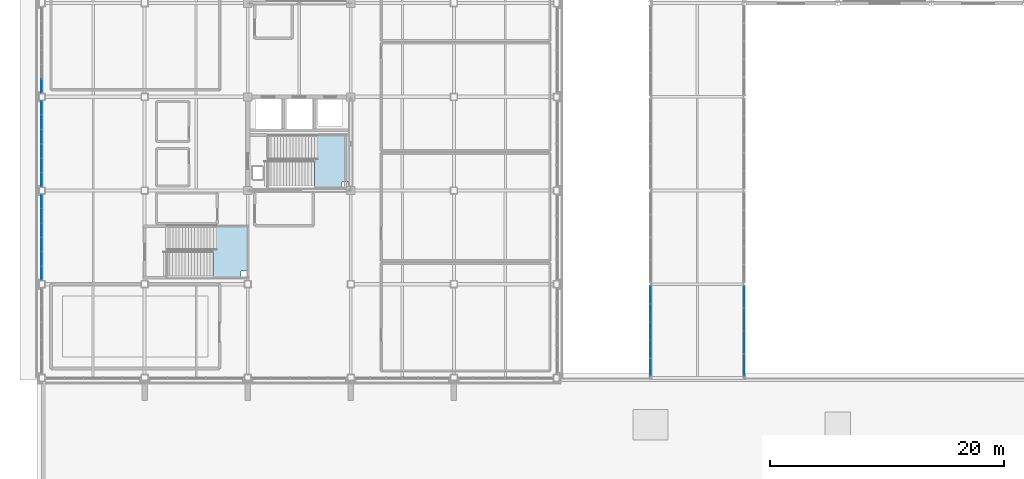
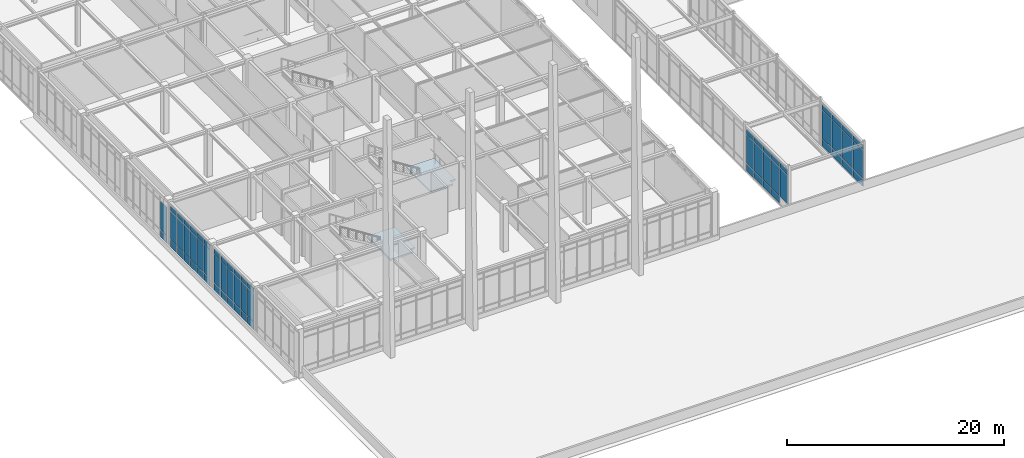
# One storey, part 60 of 108: 64 plates, 2 slabs, 7 elements without a shape of their own.
"""IFC4 building model written with IfcOpenShell, lengths in metres."""

from ifc_helpers import new_model, si_unit, direction, frame, origin, origin_2d, place, context, subcontext, project, spatial, polyline, rectangle, outline, extrude, material, layer, layer_set, type_object, element, aggregate, save


model = new_model("IFC4")

# Units and contexts
model_context = context("Model", 3, precision=1e-05, world=origin(), true_north=direction((0.0, 1.0)))
body_context = subcontext(model_context, "Body", "Model", "MODEL_VIEW")
ifc_project = project(units=[si_unit("LENGTHUNIT", "METRE"), si_unit("AREAUNIT", "SQUARE_METRE"), si_unit("VOLUMEUNIT", "CUBIC_METRE"), si_unit("PLANEANGLEUNIT", "RADIAN"), si_unit("MASSUNIT", "GRAM", prefix="KILO")], contexts=[model_context])

# Site, building, storey
site_placement = place(None, origin())
site = spatial("IfcSite", under=ifc_project, at=site_placement, CompositionType="ELEMENT")
building_placement = place(site_placement, origin())
building = spatial("IfcBuilding", under=site, at=building_placement, Name="Zhaolan Boulevard Law Courts", CompositionType="ELEMENT")
storey_placement = place(building_placement, frame((0.0, 0.0, 10.800048828125)))
storey = spatial("IfcBuildingStorey", under=building, at=storey_placement, Name="L02", CompositionType="ELEMENT", Elevation=10.800048828125)

# Curtain wall, plates
ifc_material_1 = material(Name="Thermally broken aluminium and low-E glazing", Category="aluminium")
curtain_wall_type_1 = type_object("IfcCurtainWallType", Name="CURTAIN WALL M20", PredefinedType="USERDEFINED", material=ifc_material_1)
curtain_wall_1_placement = place(storey_placement, origin())
curtain_wall_1 = element("IfcCurtainWall", 1, at=curtain_wall_1_placement, inside=storey, type_object=curtain_wall_type_1, Name="Curtain Wall CW-L02-092", ObjectType="CURTAIN WALL", PredefinedType="USERDEFINED")
ifc_material_2 = material(Name="Triple-silver low-E insulated glazing", Category="glass")
ifc_layer_1 = layer(ifc_material_2, 0.028076171875)
ifc_layer_set_1 = layer_set([ifc_layer_1])
plate_type = type_object("IfcPlateType", Name="CWPANEL LOW E28", PredefinedType="CURTAIN_PANEL", material=ifc_layer_set_1)
plate_1_placement = place(storey_placement, frame((52.0, 37.08203125, 0.06494140625), z_axis=(0.0, 0.0, 1.0), x_axis=(0.0, -1.0, 0.0)))
plate_1 = element("IfcPlate", 2, at=plate_1_placement, type_object=plate_type, Name="CW-L02-092 panel 1.1", PredefinedType="CURTAIN_PANEL", context=body_context, shape_type="SweptSolid", body=[
    extrude(rectangle(XDim=1.45166015625, YDim=0.028076171875, at=origin_2d()), origin(), (0.0, 0.0, 1.0), 0.802490234375),
])
plate_2_placement = place(storey_placement, frame((52.0, 37.08203125, 0.932373046875), z_axis=(0.0, 0.0, 1.0), x_axis=(0.0, -1.0, 0.0)))
plate_2 = element("IfcPlate", 3, at=plate_2_placement, type_object=plate_type, Name="CW-L02-092 panel 1.2", PredefinedType="CURTAIN_PANEL", context=body_context, shape_type="SweptSolid", body=[
    extrude(rectangle(XDim=1.45166015625, YDim=0.028076171875, at=origin_2d()), origin(), (0.0, 0.0, 1.0), 3.16796875),
])
plate_3_placement = place(storey_placement, frame((52.0, 37.08203125, 4.16552734375), z_axis=(0.0, 0.0, 1.0), x_axis=(0.0, -1.0, 0.0)))
plate_3 = element("IfcPlate", 4, at=plate_3_placement, type_object=plate_type, Name="CW-L02-092 panel 1.3", PredefinedType="CURTAIN_PANEL", context=body_context, shape_type="SweptSolid", body=[
    extrude(rectangle(XDim=1.45166015625, YDim=0.028076171875, at=origin_2d()), origin(), (0.0, 0.0, 1.0), 0.552490234375),
])
plate_4_placement = place(storey_placement, frame((52.0, 35.54931640625, 0.06494140625), z_axis=(0.0, 0.0, 1.0), x_axis=(0.0, -1.0, 0.0)))
plate_4 = element("IfcPlate", 5, at=plate_4_placement, type_object=plate_type, Name="CW-L02-092 panel 2.1", PredefinedType="CURTAIN_PANEL", context=body_context, shape_type="SweptSolid", body=[
    extrude(rectangle(XDim=1.484130859375, YDim=0.028076171875, at=origin_2d()), origin(), (0.0, 0.0, 1.0), 0.802490234375),
])
plate_5_placement = place(storey_placement, frame((52.0, 35.54931640625, 0.932373046875), z_axis=(0.0, 0.0, 1.0), x_axis=(0.0, -1.0, 0.0)))
plate_5 = element("IfcPlate", 6, at=plate_5_placement, type_object=plate_type, Name="CW-L02-092 panel 2.2", PredefinedType="CURTAIN_PANEL", context=body_context, shape_type="SweptSolid", body=[
    extrude(rectangle(XDim=1.484130859375, YDim=0.028076171875, at=origin_2d()), origin(), (0.0, 0.0, 1.0), 3.16796875),
])
plate_6_placement = place(storey_placement, frame((52.0, 35.54931640625, 4.16552734375), z_axis=(0.0, 0.0, 1.0), x_axis=(0.0, -1.0, 0.0)))
plate_6 = element("IfcPlate", 7, at=plate_6_placement, type_object=plate_type, Name="CW-L02-092 panel 2.3", PredefinedType="CURTAIN_PANEL", context=body_context, shape_type="SweptSolid", body=[
    extrude(rectangle(XDim=1.484130859375, YDim=0.028076171875, at=origin_2d()), origin(), (0.0, 0.0, 1.0), 0.552490234375),
])
plate_7_placement = place(storey_placement, frame((52.0, 34.0, 0.06494140625), z_axis=(0.0, 0.0, 1.0), x_axis=(0.0, -1.0, 0.0)))
plate_7 = element("IfcPlate", 8, at=plate_7_placement, type_object=plate_type, Name="CW-L02-092 panel 3.1", PredefinedType="CURTAIN_PANEL", context=body_context, shape_type="SweptSolid", body=[
    extrude(rectangle(XDim=1.484130859375, YDim=0.028076171875, at=origin_2d()), origin(), (0.0, 0.0, 1.0), 0.802490234375),
])
plate_8_placement = place(storey_placement, frame((52.0, 34.0, 0.932373046875), z_axis=(0.0, 0.0, 1.0), x_axis=(0.0, -1.0, 0.0)))
plate_8 = element("IfcPlate", 9, at=plate_8_placement, type_object=plate_type, Name="CW-L02-092 panel 3.2", PredefinedType="CURTAIN_PANEL", context=body_context, shape_type="SweptSolid", body=[
    extrude(rectangle(XDim=1.484130859375, YDim=0.028076171875, at=origin_2d()), origin(), (0.0, 0.0, 1.0), 3.16796875),
])
plate_9_placement = place(storey_placement, frame((52.0, 34.0, 4.16552734375), z_axis=(0.0, 0.0, 1.0), x_axis=(0.0, -1.0, 0.0)))
plate_9 = element("IfcPlate", 10, at=plate_9_placement, type_object=plate_type, Name="CW-L02-092 panel 3.3", PredefinedType="CURTAIN_PANEL", context=body_context, shape_type="SweptSolid", body=[
    extrude(rectangle(XDim=1.484130859375, YDim=0.028076171875, at=origin_2d()), origin(), (0.0, 0.0, 1.0), 0.552490234375),
])
plate_10_placement = place(storey_placement, frame((52.0, 32.45068359375, 0.06494140625), z_axis=(0.0, 0.0, 1.0), x_axis=(0.0, -1.0, 0.0)))
plate_10 = element("IfcPlate", 11, at=plate_10_placement, type_object=plate_type, Name="CW-L02-092 panel 4.1", PredefinedType="CURTAIN_PANEL", context=body_context, shape_type="SweptSolid", body=[
    extrude(rectangle(XDim=1.484130859375, YDim=0.028076171875, at=origin_2d()), origin(), (0.0, 0.0, 1.0), 0.802490234375),
])
plate_11_placement = place(storey_placement, frame((52.0, 32.45068359375, 0.932373046875), z_axis=(0.0, 0.0, 1.0), x_axis=(0.0, -1.0, 0.0)))
plate_11 = element("IfcPlate", 12, at=plate_11_placement, type_object=plate_type, Name="CW-L02-092 panel 4.2", PredefinedType="CURTAIN_PANEL", context=body_context, shape_type="SweptSolid", body=[
    extrude(rectangle(XDim=1.484130859375, YDim=0.028076171875, at=origin_2d()), origin(), (0.0, 0.0, 1.0), 3.16796875),
])
plate_12_placement = place(storey_placement, frame((52.0, 32.45068359375, 4.16552734375), z_axis=(0.0, 0.0, 1.0), x_axis=(0.0, -1.0, 0.0)))
plate_12 = element("IfcPlate", 13, at=plate_12_placement, type_object=plate_type, Name="CW-L02-092 panel 4.3", PredefinedType="CURTAIN_PANEL", context=body_context, shape_type="SweptSolid", body=[
    extrude(rectangle(XDim=1.484130859375, YDim=0.028076171875, at=origin_2d()), origin(), (0.0, 0.0, 1.0), 0.552490234375),
])
plate_13_placement = place(storey_placement, frame((52.0, 30.91796875, 0.932373046875), z_axis=(0.0, 0.0, 1.0), x_axis=(0.0, -1.0, 0.0)))
plate_13 = element("IfcPlate", 14, at=plate_13_placement, type_object=plate_type, Name="CW-L02-092 panel 5.2", PredefinedType="CURTAIN_PANEL", context=body_context, shape_type="SweptSolid", body=[
    extrude(rectangle(XDim=1.45166015625, YDim=0.028076171875, at=origin_2d()), origin(), (0.0, 0.0, 1.0), 3.16796875),
])
plate_14_placement = place(storey_placement, frame((52.0, 30.91796875, 4.16552734375), z_axis=(0.0, 0.0, 1.0), x_axis=(0.0, -1.0, 0.0)))
plate_14 = element("IfcPlate", 15, at=plate_14_placement, type_object=plate_type, Name="CW-L02-092 panel 5.3", PredefinedType="CURTAIN_PANEL", context=body_context, shape_type="SweptSolid", body=[
    extrude(rectangle(XDim=1.45166015625, YDim=0.028076171875, at=origin_2d()), origin(), (0.0, 0.0, 1.0), 0.552490234375),
])
aggregate(curtain_wall_1, [plate_1, plate_2, plate_3, plate_4, plate_5, plate_6, plate_7, plate_8, plate_9, plate_10, plate_11, plate_12, plate_13, plate_14])

ifc_material_3 = material(Name="Thermally broken aluminium and low-E glazing", Category="aluminium")
curtain_wall_type_2 = type_object("IfcCurtainWallType", Name="CURTAIN WALL M24", PredefinedType="USERDEFINED", material=ifc_material_3)
curtain_wall_2_placement = place(storey_placement, origin())
curtain_wall_2 = element("IfcCurtainWall", 16, at=curtain_wall_2_placement, inside=storey, type_object=curtain_wall_type_2, Name="Curtain Wall CW-L02-096", ObjectType="CURTAIN WALL", PredefinedType="USERDEFINED")
plate_15_placement = place(storey_placement, frame((60.0, 31.111572265625, 0.06494140625), z_axis=(0.0, 0.0, 1.0), x_axis=(0.0, 1.0, 0.0)))
plate_15 = element("IfcPlate", 17, at=plate_15_placement, type_object=plate_type, Name="CW-L02-096 panel 1.1", PredefinedType="CURTAIN_PANEL", context=body_context, shape_type="SweptSolid", body=[
    extrude(rectangle(XDim=1.839111328125, YDim=0.028076171875, at=origin_2d()), origin(), (0.0, 0.0, 1.0), 0.802490234375),
])
plate_16_placement = place(storey_placement, frame((60.0, 31.111572265625, 0.932373046875), z_axis=(0.0, 0.0, 1.0), x_axis=(0.0, 1.0, 0.0)))
plate_16 = element("IfcPlate", 18, at=plate_16_placement, type_object=plate_type, Name="CW-L02-096 panel 1.2", PredefinedType="CURTAIN_PANEL", context=body_context, shape_type="SweptSolid", body=[
    extrude(rectangle(XDim=1.839111328125, YDim=0.028076171875, at=origin_2d()), origin(), (0.0, 0.0, 1.0), 3.16796875),
])
plate_17_placement = place(storey_placement, frame((60.0, 31.111572265625, 4.16552734375), z_axis=(0.0, 0.0, 1.0), x_axis=(0.0, 1.0, 0.0)))
plate_17 = element("IfcPlate", 19, at=plate_17_placement, type_object=plate_type, Name="CW-L02-096 panel 1.3", PredefinedType="CURTAIN_PANEL", context=body_context, shape_type="SweptSolid", body=[
    extrude(rectangle(XDim=1.839111328125, YDim=0.028076171875, at=origin_2d()), origin(), (0.0, 0.0, 1.0), 0.552490234375),
])
plate_18_placement = place(storey_placement, frame((60.0, 33.03173828125, 0.06494140625), z_axis=(0.0, 0.0, 1.0), x_axis=(0.0, 1.0, 0.0)))
plate_18 = element("IfcPlate", 20, at=plate_18_placement, type_object=plate_type, Name="CW-L02-096 panel 2.1", PredefinedType="CURTAIN_PANEL", context=body_context, shape_type="SweptSolid", body=[
    extrude(rectangle(XDim=1.87158203125, YDim=0.028076171875, at=origin_2d()), origin(), (0.0, 0.0, 1.0), 0.802490234375),
])
plate_19_placement = place(storey_placement, frame((60.0, 33.03173828125, 0.932373046875), z_axis=(0.0, 0.0, 1.0), x_axis=(0.0, 1.0, 0.0)))
plate_19 = element("IfcPlate", 21, at=plate_19_placement, type_object=plate_type, Name="CW-L02-096 panel 2.2", PredefinedType="CURTAIN_PANEL", context=body_context, shape_type="SweptSolid", body=[
    extrude(rectangle(XDim=1.87158203125, YDim=0.028076171875, at=origin_2d()), origin(), (0.0, 0.0, 1.0), 3.16796875),
])
plate_20_placement = place(storey_placement, frame((60.0, 33.03173828125, 4.16552734375), z_axis=(0.0, 0.0, 1.0), x_axis=(0.0, 1.0, 0.0)))
plate_20 = element("IfcPlate", 22, at=plate_20_placement, type_object=plate_type, Name="CW-L02-096 panel 2.3", PredefinedType="CURTAIN_PANEL", context=body_context, shape_type="SweptSolid", body=[
    extrude(rectangle(XDim=1.87158203125, YDim=0.028076171875, at=origin_2d()), origin(), (0.0, 0.0, 1.0), 0.552490234375),
])
plate_21_placement = place(storey_placement, frame((60.0, 34.96826171875, 0.06494140625), z_axis=(0.0, 0.0, 1.0), x_axis=(0.0, 1.0, 0.0)))
plate_21 = element("IfcPlate", 23, at=plate_21_placement, type_object=plate_type, Name="CW-L02-096 panel 3.1", PredefinedType="CURTAIN_PANEL", context=body_context, shape_type="SweptSolid", body=[
    extrude(rectangle(XDim=1.87158203125, YDim=0.028076171875, at=origin_2d()), origin(), (0.0, 0.0, 1.0), 0.802490234375),
])
plate_22_placement = place(storey_placement, frame((60.0, 34.96826171875, 0.932373046875), z_axis=(0.0, 0.0, 1.0), x_axis=(0.0, 1.0, 0.0)))
plate_22 = element("IfcPlate", 24, at=plate_22_placement, type_object=plate_type, Name="CW-L02-096 panel 3.2", PredefinedType="CURTAIN_PANEL", context=body_context, shape_type="SweptSolid", body=[
    extrude(rectangle(XDim=1.87158203125, YDim=0.028076171875, at=origin_2d()), origin(), (0.0, 0.0, 1.0), 3.16796875),
])
plate_23_placement = place(storey_placement, frame((60.0, 34.96826171875, 4.16552734375), z_axis=(0.0, 0.0, 1.0), x_axis=(0.0, 1.0, 0.0)))
plate_23 = element("IfcPlate", 25, at=plate_23_placement, type_object=plate_type, Name="CW-L02-096 panel 3.3", PredefinedType="CURTAIN_PANEL", context=body_context, shape_type="SweptSolid", body=[
    extrude(rectangle(XDim=1.87158203125, YDim=0.028076171875, at=origin_2d()), origin(), (0.0, 0.0, 1.0), 0.552490234375),
])
plate_24_placement = place(storey_placement, frame((60.0, 36.888427734375, 0.06494140625), z_axis=(0.0, 0.0, 1.0), x_axis=(0.0, 1.0, 0.0)))
plate_24 = element("IfcPlate", 26, at=plate_24_placement, type_object=plate_type, Name="CW-L02-096 panel 4.1", PredefinedType="CURTAIN_PANEL", context=body_context, shape_type="SweptSolid", body=[
    extrude(rectangle(XDim=1.839111328125, YDim=0.028076171875, at=origin_2d()), origin(), (0.0, 0.0, 1.0), 0.802490234375),
])
plate_25_placement = place(storey_placement, frame((60.0, 36.888427734375, 0.932373046875), z_axis=(0.0, 0.0, 1.0), x_axis=(0.0, 1.0, 0.0)))
plate_25 = element("IfcPlate", 27, at=plate_25_placement, type_object=plate_type, Name="CW-L02-096 panel 4.2", PredefinedType="CURTAIN_PANEL", context=body_context, shape_type="SweptSolid", body=[
    extrude(rectangle(XDim=1.839111328125, YDim=0.028076171875, at=origin_2d()), origin(), (0.0, 0.0, 1.0), 3.16796875),
])
plate_26_placement = place(storey_placement, frame((60.0, 36.888427734375, 4.16552734375), z_axis=(0.0, 0.0, 1.0), x_axis=(0.0, 1.0, 0.0)))
plate_26 = element("IfcPlate", 28, at=plate_26_placement, type_object=plate_type, Name="CW-L02-096 panel 4.3", PredefinedType="CURTAIN_PANEL", context=body_context, shape_type="SweptSolid", body=[
    extrude(rectangle(XDim=1.839111328125, YDim=0.028076171875, at=origin_2d()), origin(), (0.0, 0.0, 1.0), 0.552490234375),
])
aggregate(curtain_wall_2, [plate_15, plate_16, plate_17, plate_18, plate_19, plate_20, plate_21, plate_22, plate_23, plate_24, plate_25, plate_26])

ifc_material_4 = material(Name="Thermally broken aluminium and low-E glazing", Category="aluminium")
curtain_wall_type_3 = type_object("IfcCurtainWallType", Name="CURTAIN WALL M13", PredefinedType="USERDEFINED", material=ifc_material_4)
curtain_wall_3_placement = place(storey_placement, origin())
curtain_wall_3 = element("IfcCurtainWall", 29, at=curtain_wall_3_placement, inside=storey, type_object=curtain_wall_type_3, Name="Curtain Wall CW-L02-157", ObjectType="CURTAIN WALL", PredefinedType="USERDEFINED")
plate_27_placement = place(storey_placement, frame((0.0, 45.0654296875, 0.06494140625), z_axis=(0.0, 0.0, 1.0), x_axis=(0.0, -1.0, 0.0)))
plate_27 = element("IfcPlate", 30, at=plate_27_placement, type_object=plate_type, Name="CW-L02-157 panel 1.1", PredefinedType="CURTAIN_PANEL", context=body_context, shape_type="SweptSolid", body=[
    extrude(rectangle(XDim=1.13525390625, YDim=0.028076171875, at=origin_2d()), origin(), (0.0, 0.0, 1.0), 0.802490234375),
])
plate_28_placement = place(storey_placement, frame((0.0, 45.0654296875, 0.932373046875), z_axis=(0.0, 0.0, 1.0), x_axis=(0.0, -1.0, 0.0)))
plate_28 = element("IfcPlate", 31, at=plate_28_placement, type_object=plate_type, Name="CW-L02-157 panel 1.2", PredefinedType="CURTAIN_PANEL", context=body_context, shape_type="SweptSolid", body=[
    extrude(rectangle(XDim=1.13525390625, YDim=0.028076171875, at=origin_2d()), origin(), (0.0, 0.0, 1.0), 3.16796875),
])
plate_29_placement = place(storey_placement, frame((0.0, 45.0654296875, 4.16552734375), z_axis=(0.0, 0.0, 1.0), x_axis=(0.0, -1.0, 0.0)))
plate_29 = element("IfcPlate", 32, at=plate_29_placement, type_object=plate_type, Name="CW-L02-157 panel 1.3", PredefinedType="CURTAIN_PANEL", context=body_context, shape_type="SweptSolid", body=[
    extrude(rectangle(XDim=1.13525390625, YDim=0.028076171875, at=origin_2d()), origin(), (0.0, 0.0, 1.0), 0.552490234375),
])
plate_30_placement = place(storey_placement, frame((0.0, 43.84912109375, 0.06494140625), z_axis=(0.0, 0.0, 1.0), x_axis=(0.0, -1.0, 0.0)))
plate_30 = element("IfcPlate", 33, at=plate_30_placement, type_object=plate_type, Name="CW-L02-157 panel 2.1", PredefinedType="CURTAIN_PANEL", context=body_context, shape_type="SweptSolid", body=[
    extrude(rectangle(XDim=1.167724609375, YDim=0.028076171875, at=origin_2d()), origin(), (0.0, 0.0, 1.0), 0.802490234375),
])
plate_31_placement = place(storey_placement, frame((0.0, 43.84912109375, 0.932373046875), z_axis=(0.0, 0.0, 1.0), x_axis=(0.0, -1.0, 0.0)))
plate_31 = element("IfcPlate", 34, at=plate_31_placement, type_object=plate_type, Name="CW-L02-157 panel 2.2", PredefinedType="CURTAIN_PANEL", context=body_context, shape_type="SweptSolid", body=[
    extrude(rectangle(XDim=1.167724609375, YDim=0.028076171875, at=origin_2d()), origin(), (0.0, 0.0, 1.0), 3.16796875),
])
plate_32_placement = place(storey_placement, frame((0.0, 43.84912109375, 4.16552734375), z_axis=(0.0, 0.0, 1.0), x_axis=(0.0, -1.0, 0.0)))
plate_32 = element("IfcPlate", 35, at=plate_32_placement, type_object=plate_type, Name="CW-L02-157 panel 2.3", PredefinedType="CURTAIN_PANEL", context=body_context, shape_type="SweptSolid", body=[
    extrude(rectangle(XDim=1.167724609375, YDim=0.028076171875, at=origin_2d()), origin(), (0.0, 0.0, 1.0), 0.552490234375),
])
plate_33_placement = place(storey_placement, frame((0.0, 42.616455078125, 0.06494140625), z_axis=(0.0, 0.0, 1.0), x_axis=(0.0, -1.0, 0.0)))
plate_33 = element("IfcPlate", 36, at=plate_33_placement, type_object=plate_type, Name="CW-L02-157 panel 3.1", PredefinedType="CURTAIN_PANEL", context=body_context, shape_type="SweptSolid", body=[
    extrude(rectangle(XDim=1.167724609375, YDim=0.028076171875, at=origin_2d()), origin(), (0.0, 0.0, 1.0), 0.802490234375),
])
plate_34_placement = place(storey_placement, frame((0.0, 42.616455078125, 0.932373046875), z_axis=(0.0, 0.0, 1.0), x_axis=(0.0, -1.0, 0.0)))
plate_34 = element("IfcPlate", 37, at=plate_34_placement, type_object=plate_type, Name="CW-L02-157 panel 3.2", PredefinedType="CURTAIN_PANEL", context=body_context, shape_type="SweptSolid", body=[
    extrude(rectangle(XDim=1.167724609375, YDim=0.028076171875, at=origin_2d()), origin(), (0.0, 0.0, 1.0), 3.16796875),
])
plate_35_placement = place(storey_placement, frame((0.0, 42.616455078125, 4.16552734375), z_axis=(0.0, 0.0, 1.0), x_axis=(0.0, -1.0, 0.0)))
plate_35 = element("IfcPlate", 38, at=plate_35_placement, type_object=plate_type, Name="CW-L02-157 panel 3.3", PredefinedType="CURTAIN_PANEL", context=body_context, shape_type="SweptSolid", body=[
    extrude(rectangle(XDim=1.167724609375, YDim=0.028076171875, at=origin_2d()), origin(), (0.0, 0.0, 1.0), 0.552490234375),
])
plate_36_placement = place(storey_placement, frame((0.0, 41.383544921875, 0.06494140625), z_axis=(0.0, 0.0, 1.0), x_axis=(0.0, -1.0, 0.0)))
plate_36 = element("IfcPlate", 39, at=plate_36_placement, type_object=plate_type, Name="CW-L02-157 panel 4.1", PredefinedType="CURTAIN_PANEL", context=body_context, shape_type="SweptSolid", body=[
    extrude(rectangle(XDim=1.167724609375, YDim=0.028076171875, at=origin_2d()), origin(), (0.0, 0.0, 1.0), 0.802490234375),
])
plate_37_placement = place(storey_placement, frame((0.0, 41.383544921875, 0.932373046875), z_axis=(0.0, 0.0, 1.0), x_axis=(0.0, -1.0, 0.0)))
plate_37 = element("IfcPlate", 40, at=plate_37_placement, type_object=plate_type, Name="CW-L02-157 panel 4.2", PredefinedType="CURTAIN_PANEL", context=body_context, shape_type="SweptSolid", body=[
    extrude(rectangle(XDim=1.167724609375, YDim=0.028076171875, at=origin_2d()), origin(), (0.0, 0.0, 1.0), 3.16796875),
])
plate_38_placement = place(storey_placement, frame((0.0, 41.383544921875, 4.16552734375), z_axis=(0.0, 0.0, 1.0), x_axis=(0.0, -1.0, 0.0)))
plate_38 = element("IfcPlate", 41, at=plate_38_placement, type_object=plate_type, Name="CW-L02-157 panel 4.3", PredefinedType="CURTAIN_PANEL", context=body_context, shape_type="SweptSolid", body=[
    extrude(rectangle(XDim=1.167724609375, YDim=0.028076171875, at=origin_2d()), origin(), (0.0, 0.0, 1.0), 0.552490234375),
])
plate_39_placement = place(storey_placement, frame((0.0, 40.15087890625, 0.06494140625), z_axis=(0.0, 0.0, 1.0), x_axis=(0.0, -1.0, 0.0)))
plate_39 = element("IfcPlate", 42, at=plate_39_placement, type_object=plate_type, Name="CW-L02-157 panel 5.1", PredefinedType="CURTAIN_PANEL", context=body_context, shape_type="SweptSolid", body=[
    extrude(rectangle(XDim=1.167724609375, YDim=0.028076171875, at=origin_2d()), origin(), (0.0, 0.0, 1.0), 0.802490234375),
])
plate_40_placement = place(storey_placement, frame((0.0, 40.15087890625, 0.932373046875), z_axis=(0.0, 0.0, 1.0), x_axis=(0.0, -1.0, 0.0)))
plate_40 = element("IfcPlate", 43, at=plate_40_placement, type_object=plate_type, Name="CW-L02-157 panel 5.2", PredefinedType="CURTAIN_PANEL", context=body_context, shape_type="SweptSolid", body=[
    extrude(rectangle(XDim=1.167724609375, YDim=0.028076171875, at=origin_2d()), origin(), (0.0, 0.0, 1.0), 3.16796875),
])
plate_41_placement = place(storey_placement, frame((0.0, 40.15087890625, 4.16552734375), z_axis=(0.0, 0.0, 1.0), x_axis=(0.0, -1.0, 0.0)))
plate_41 = element("IfcPlate", 44, at=plate_41_placement, type_object=plate_type, Name="CW-L02-157 panel 5.3", PredefinedType="CURTAIN_PANEL", context=body_context, shape_type="SweptSolid", body=[
    extrude(rectangle(XDim=1.167724609375, YDim=0.028076171875, at=origin_2d()), origin(), (0.0, 0.0, 1.0), 0.552490234375),
])
plate_42_placement = place(storey_placement, frame((0.0, 38.9345703125, 0.06494140625), z_axis=(0.0, 0.0, 1.0), x_axis=(0.0, -1.0, 0.0)))
plate_42 = element("IfcPlate", 45, at=plate_42_placement, type_object=plate_type, Name="CW-L02-157 panel 6.1", PredefinedType="CURTAIN_PANEL", context=body_context, shape_type="SweptSolid", body=[
    extrude(rectangle(XDim=1.13525390625, YDim=0.028076171875, at=origin_2d()), origin(), (0.0, 0.0, 1.0), 0.802490234375),
])
plate_43_placement = place(storey_placement, frame((0.0, 38.9345703125, 0.932373046875), z_axis=(0.0, 0.0, 1.0), x_axis=(0.0, -1.0, 0.0)))
plate_43 = element("IfcPlate", 46, at=plate_43_placement, type_object=plate_type, Name="CW-L02-157 panel 6.2", PredefinedType="CURTAIN_PANEL", context=body_context, shape_type="SweptSolid", body=[
    extrude(rectangle(XDim=1.13525390625, YDim=0.028076171875, at=origin_2d()), origin(), (0.0, 0.0, 1.0), 3.16796875),
])
plate_44_placement = place(storey_placement, frame((0.0, 38.9345703125, 4.16552734375), z_axis=(0.0, 0.0, 1.0), x_axis=(0.0, -1.0, 0.0)))
plate_44 = element("IfcPlate", 47, at=plate_44_placement, type_object=plate_type, Name="CW-L02-157 panel 6.3", PredefinedType="CURTAIN_PANEL", context=body_context, shape_type="SweptSolid", body=[
    extrude(rectangle(XDim=1.13525390625, YDim=0.028076171875, at=origin_2d()), origin(), (0.0, 0.0, 1.0), 0.552490234375),
])
aggregate(curtain_wall_3, [plate_27, plate_28, plate_29, plate_30, plate_31, plate_32, plate_33, plate_34, plate_35, plate_36, plate_37, plate_38, plate_39, plate_40, plate_41, plate_42, plate_43, plate_44])

ifc_material_5 = material(Name="Thermally broken aluminium and low-E glazing", Category="aluminium")
curtain_wall_type_4 = type_object("IfcCurtainWallType", Name="CURTAIN WALL M14", PredefinedType="USERDEFINED", material=ifc_material_5)
curtain_wall_4_placement = place(storey_placement, origin())
curtain_wall_4 = element("IfcCurtainWall", 48, at=curtain_wall_4_placement, inside=storey, type_object=curtain_wall_type_4, Name="Curtain Wall CW-L02-158", ObjectType="CURTAIN WALL", PredefinedType="USERDEFINED")
plate_45_placement = place(storey_placement, frame((0.0, 53.0654296875, 0.06494140625), z_axis=(0.0, 0.0, 1.0), x_axis=(0.0, -1.0, 0.0)))
plate_45 = element("IfcPlate", 49, at=plate_45_placement, type_object=plate_type, Name="CW-L02-158 panel 1.1", PredefinedType="CURTAIN_PANEL", context=body_context, shape_type="SweptSolid", body=[
    extrude(rectangle(XDim=1.13525390625, YDim=0.028076171875, at=origin_2d()), origin(), (0.0, 0.0, 1.0), 0.802490234375),
])
plate_46_placement = place(storey_placement, frame((0.0, 53.0654296875, 0.932373046875), z_axis=(0.0, 0.0, 1.0), x_axis=(0.0, -1.0, 0.0)))
plate_46 = element("IfcPlate", 50, at=plate_46_placement, type_object=plate_type, Name="CW-L02-158 panel 1.2", PredefinedType="CURTAIN_PANEL", context=body_context, shape_type="SweptSolid", body=[
    extrude(rectangle(XDim=1.13525390625, YDim=0.028076171875, at=origin_2d()), origin(), (0.0, 0.0, 1.0), 3.16796875),
])
plate_47_placement = place(storey_placement, frame((0.0, 53.0654296875, 4.16552734375), z_axis=(0.0, 0.0, 1.0), x_axis=(0.0, -1.0, 0.0)))
plate_47 = element("IfcPlate", 51, at=plate_47_placement, type_object=plate_type, Name="CW-L02-158 panel 1.3", PredefinedType="CURTAIN_PANEL", context=body_context, shape_type="SweptSolid", body=[
    extrude(rectangle(XDim=1.13525390625, YDim=0.028076171875, at=origin_2d()), origin(), (0.0, 0.0, 1.0), 0.552490234375),
])
plate_48_placement = place(storey_placement, frame((0.0, 51.84912109375, 0.06494140625), z_axis=(0.0, 0.0, 1.0), x_axis=(0.0, -1.0, 0.0)))
plate_48 = element("IfcPlate", 52, at=plate_48_placement, type_object=plate_type, Name="CW-L02-158 panel 2.1", PredefinedType="CURTAIN_PANEL", context=body_context, shape_type="SweptSolid", body=[
    extrude(rectangle(XDim=1.167724609375, YDim=0.028076171875, at=origin_2d()), origin(), (0.0, 0.0, 1.0), 0.802490234375),
])
plate_49_placement = place(storey_placement, frame((0.0, 51.84912109375, 0.932373046875), z_axis=(0.0, 0.0, 1.0), x_axis=(0.0, -1.0, 0.0)))
plate_49 = element("IfcPlate", 53, at=plate_49_placement, type_object=plate_type, Name="CW-L02-158 panel 2.2", PredefinedType="CURTAIN_PANEL", context=body_context, shape_type="SweptSolid", body=[
    extrude(rectangle(XDim=1.167724609375, YDim=0.028076171875, at=origin_2d()), origin(), (0.0, 0.0, 1.0), 3.16796875),
])
plate_50_placement = place(storey_placement, frame((0.0, 51.84912109375, 4.16552734375), z_axis=(0.0, 0.0, 1.0), x_axis=(0.0, -1.0, 0.0)))
plate_50 = element("IfcPlate", 54, at=plate_50_placement, type_object=plate_type, Name="CW-L02-158 panel 2.3", PredefinedType="CURTAIN_PANEL", context=body_context, shape_type="SweptSolid", body=[
    extrude(rectangle(XDim=1.167724609375, YDim=0.028076171875, at=origin_2d()), origin(), (0.0, 0.0, 1.0), 0.552490234375),
])
plate_51_placement = place(storey_placement, frame((0.0, 50.616455078125, 0.06494140625), z_axis=(0.0, 0.0, 1.0), x_axis=(0.0, -1.0, 0.0)))
plate_51 = element("IfcPlate", 55, at=plate_51_placement, type_object=plate_type, Name="CW-L02-158 panel 3.1", PredefinedType="CURTAIN_PANEL", context=body_context, shape_type="SweptSolid", body=[
    extrude(rectangle(XDim=1.167724609375, YDim=0.028076171875, at=origin_2d()), origin(), (0.0, 0.0, 1.0), 0.802490234375),
])
plate_52_placement = place(storey_placement, frame((0.0, 50.616455078125, 0.932373046875), z_axis=(0.0, 0.0, 1.0), x_axis=(0.0, -1.0, 0.0)))
plate_52 = element("IfcPlate", 56, at=plate_52_placement, type_object=plate_type, Name="CW-L02-158 panel 3.2", PredefinedType="CURTAIN_PANEL", context=body_context, shape_type="SweptSolid", body=[
    extrude(rectangle(XDim=1.167724609375, YDim=0.028076171875, at=origin_2d()), origin(), (0.0, 0.0, 1.0), 3.16796875),
])
plate_53_placement = place(storey_placement, frame((0.0, 50.616455078125, 4.16552734375), z_axis=(0.0, 0.0, 1.0), x_axis=(0.0, -1.0, 0.0)))
plate_53 = element("IfcPlate", 57, at=plate_53_placement, type_object=plate_type, Name="CW-L02-158 panel 3.3", PredefinedType="CURTAIN_PANEL", context=body_context, shape_type="SweptSolid", body=[
    extrude(rectangle(XDim=1.167724609375, YDim=0.028076171875, at=origin_2d()), origin(), (0.0, 0.0, 1.0), 0.552490234375),
])
plate_54_placement = place(storey_placement, frame((0.0, 49.383544921875, 0.06494140625), z_axis=(0.0, 0.0, 1.0), x_axis=(0.0, -1.0, 0.0)))
plate_54 = element("IfcPlate", 58, at=plate_54_placement, type_object=plate_type, Name="CW-L02-158 panel 4.1", PredefinedType="CURTAIN_PANEL", context=body_context, shape_type="SweptSolid", body=[
    extrude(rectangle(XDim=1.167724609375, YDim=0.028076171875, at=origin_2d()), origin(), (0.0, 0.0, 1.0), 0.802490234375),
])
plate_55_placement = place(storey_placement, frame((0.0, 49.383544921875, 0.932373046875), z_axis=(0.0, 0.0, 1.0), x_axis=(0.0, -1.0, 0.0)))
plate_55 = element("IfcPlate", 59, at=plate_55_placement, type_object=plate_type, Name="CW-L02-158 panel 4.2", PredefinedType="CURTAIN_PANEL", context=body_context, shape_type="SweptSolid", body=[
    extrude(rectangle(XDim=1.167724609375, YDim=0.028076171875, at=origin_2d()), origin(), (0.0, 0.0, 1.0), 3.16796875),
])
plate_56_placement = place(storey_placement, frame((0.0, 49.383544921875, 4.16552734375), z_axis=(0.0, 0.0, 1.0), x_axis=(0.0, -1.0, 0.0)))
plate_56 = element("IfcPlate", 60, at=plate_56_placement, type_object=plate_type, Name="CW-L02-158 panel 4.3", PredefinedType="CURTAIN_PANEL", context=body_context, shape_type="SweptSolid", body=[
    extrude(rectangle(XDim=1.167724609375, YDim=0.028076171875, at=origin_2d()), origin(), (0.0, 0.0, 1.0), 0.552490234375),
])
plate_57_placement = place(storey_placement, frame((0.0, 48.15087890625, 0.06494140625), z_axis=(0.0, 0.0, 1.0), x_axis=(0.0, -1.0, 0.0)))
plate_57 = element("IfcPlate", 61, at=plate_57_placement, type_object=plate_type, Name="CW-L02-158 panel 5.1", PredefinedType="CURTAIN_PANEL", context=body_context, shape_type="SweptSolid", body=[
    extrude(rectangle(XDim=1.167724609375, YDim=0.028076171875, at=origin_2d()), origin(), (0.0, 0.0, 1.0), 0.802490234375),
])
plate_58_placement = place(storey_placement, frame((0.0, 48.15087890625, 0.932373046875), z_axis=(0.0, 0.0, 1.0), x_axis=(0.0, -1.0, 0.0)))
plate_58 = element("IfcPlate", 62, at=plate_58_placement, type_object=plate_type, Name="CW-L02-158 panel 5.2", PredefinedType="CURTAIN_PANEL", context=body_context, shape_type="SweptSolid", body=[
    extrude(rectangle(XDim=1.167724609375, YDim=0.028076171875, at=origin_2d()), origin(), (0.0, 0.0, 1.0), 3.16796875),
])
plate_59_placement = place(storey_placement, frame((0.0, 48.15087890625, 4.16552734375), z_axis=(0.0, 0.0, 1.0), x_axis=(0.0, -1.0, 0.0)))
plate_59 = element("IfcPlate", 63, at=plate_59_placement, type_object=plate_type, Name="CW-L02-158 panel 5.3", PredefinedType="CURTAIN_PANEL", context=body_context, shape_type="SweptSolid", body=[
    extrude(rectangle(XDim=1.167724609375, YDim=0.028076171875, at=origin_2d()), origin(), (0.0, 0.0, 1.0), 0.552490234375),
])
plate_60_placement = place(storey_placement, frame((0.0, 46.9345703125, 0.06494140625), z_axis=(0.0, 0.0, 1.0), x_axis=(0.0, -1.0, 0.0)))
plate_60 = element("IfcPlate", 64, at=plate_60_placement, type_object=plate_type, Name="CW-L02-158 panel 6.1", PredefinedType="CURTAIN_PANEL", context=body_context, shape_type="SweptSolid", body=[
    extrude(rectangle(XDim=1.13525390625, YDim=0.028076171875, at=origin_2d()), origin(), (0.0, 0.0, 1.0), 0.802490234375),
])
plate_61_placement = place(storey_placement, frame((0.0, 46.9345703125, 0.932373046875), z_axis=(0.0, 0.0, 1.0), x_axis=(0.0, -1.0, 0.0)))
plate_61 = element("IfcPlate", 65, at=plate_61_placement, type_object=plate_type, Name="CW-L02-158 panel 6.2", PredefinedType="CURTAIN_PANEL", context=body_context, shape_type="SweptSolid", body=[
    extrude(rectangle(XDim=1.13525390625, YDim=0.028076171875, at=origin_2d()), origin(), (0.0, 0.0, 1.0), 3.16796875),
])
plate_62_placement = place(storey_placement, frame((0.0, 46.9345703125, 4.16552734375), z_axis=(0.0, 0.0, 1.0), x_axis=(0.0, -1.0, 0.0)))
plate_62 = element("IfcPlate", 66, at=plate_62_placement, type_object=plate_type, Name="CW-L02-158 panel 6.3", PredefinedType="CURTAIN_PANEL", context=body_context, shape_type="SweptSolid", body=[
    extrude(rectangle(XDim=1.13525390625, YDim=0.028076171875, at=origin_2d()), origin(), (0.0, 0.0, 1.0), 0.552490234375),
])
aggregate(curtain_wall_4, [plate_45, plate_46, plate_47, plate_48, plate_49, plate_50, plate_51, plate_52, plate_53, plate_54, plate_55, plate_56, plate_57, plate_58, plate_59, plate_60, plate_61, plate_62])

ifc_material_6 = material(Name="Thermally broken aluminium and low-E glazing", Category="aluminium")
curtain_wall_type_5 = type_object("IfcCurtainWallType", Name="CURTAIN WALL M15", PredefinedType="USERDEFINED", material=ifc_material_6)
curtain_wall_5_placement = place(storey_placement, origin())
curtain_wall_5 = element("IfcCurtainWall", 67, at=curtain_wall_5_placement, inside=storey, type_object=curtain_wall_type_5, Name="Curtain Wall CW-L02-159", ObjectType="CURTAIN WALL", PredefinedType="USERDEFINED")
plate_63_placement = place(storey_placement, frame((0.0, 54.9345703125, 0.06494140625), z_axis=(0.0, 0.0, 1.0), x_axis=(0.0, -1.0, 0.0)))
plate_63 = element("IfcPlate", 68, at=plate_63_placement, type_object=plate_type, Name="CW-L02-159 panel 6.1", PredefinedType="CURTAIN_PANEL", context=body_context, shape_type="SweptSolid", body=[
    extrude(rectangle(XDim=1.13525390625, YDim=0.028076171875, at=origin_2d()), origin(), (0.0, 0.0, 1.0), 0.802490234375),
])
plate_64_placement = place(storey_placement, frame((0.0, 54.9345703125, 0.932373046875), z_axis=(0.0, 0.0, 1.0), x_axis=(0.0, -1.0, 0.0)))
plate_64 = element("IfcPlate", 69, at=plate_64_placement, type_object=plate_type, Name="CW-L02-159 panel 6.2", PredefinedType="CURTAIN_PANEL", context=body_context, shape_type="SweptSolid", body=[
    extrude(rectangle(XDim=1.13525390625, YDim=0.028076171875, at=origin_2d()), origin(), (0.0, 0.0, 1.0), 3.16796875),
])
aggregate(curtain_wall_5, [plate_63, plate_64])

# Stair, slab
ifc_material_7 = material(Name="Concrete C40", Category="concrete")
stair_type_1 = type_object("IfcStairType", Name="HALF TURN STAIR 54 B", PredefinedType="HALF_TURN_STAIR", material=ifc_material_7)
stair_1_placement = place(storey_placement, origin())
stair_1 = element("IfcStair", 70, at=stair_1_placement, inside=storey, type_object=stair_type_1, Name="Stair ST01-L02", PredefinedType="HALF_TURN_STAIR")
ifc_material_8 = material(Name="Concrete C40", Category="concrete")
ifc_layer_2 = layer(ifc_material_8, 0.199951171875)
ifc_layer_set_2 = layer_set([ifc_layer_2])
slab_type = type_object("IfcSlabType", Name="STAIR LANDING 200", PredefinedType="LANDING", material=ifc_layer_set_2)
slab_1_placement = place(storey_placement, frame((0.0, 0.0, 2.5)))
slab_1 = element("IfcSlab", 71, at=slab_1_placement, type_object=slab_type, Name="Stair Landing ST01-L02-L1", PredefinedType="LANDING", context=body_context, shape_type="SweptSolid", body=[
    extrude(outline(polyline([(23.2900390625, 46.169921875), (25.669921875, 46.169921875), (25.669921875, 46.72998046875), (26.22998046875, 46.72998046875), (26.22998046875, 50.639892578125), (23.2900390625, 50.639892578125), (23.2900390625, 46.169921875)])), origin(), (0.0, 0.0, 1.0), 0.199951171875),
])
aggregate(stair_1, [slab_1])

ifc_material_9 = material(Name="Concrete C40", Category="concrete")
stair_type_2 = type_object("IfcStairType", Name="HALF TURN STAIR 54 A", PredefinedType="HALF_TURN_STAIR", material=ifc_material_9)
stair_2_placement = place(storey_placement, origin())
stair_2 = element("IfcStair", 72, at=stair_2_placement, inside=storey, type_object=stair_type_2, Name="Stair ST03-L02", PredefinedType="HALF_TURN_STAIR")
slab_2_placement = place(storey_placement, frame((0.0, 0.0, 2.5)))
slab_2 = element("IfcSlab", 73, at=slab_2_placement, type_object=slab_type, Name="Stair Landing ST03-L02-L1", PredefinedType="LANDING", context=body_context, shape_type="SweptSolid", body=[
    extrude(outline(polyline([(14.639892578125, 38.60009765625), (17.0400390625, 38.60009765625), (17.0400390625, 39.110107421875), (17.550048828125, 39.110107421875), (17.550048828125, 42.89990234375), (14.639892578125, 42.89990234375), (14.639892578125, 38.60009765625)])), origin(), (0.0, 0.0, 1.0), 0.199951171875),
])
aggregate(stair_2, [slab_2])

save(model, "model.ifc")
